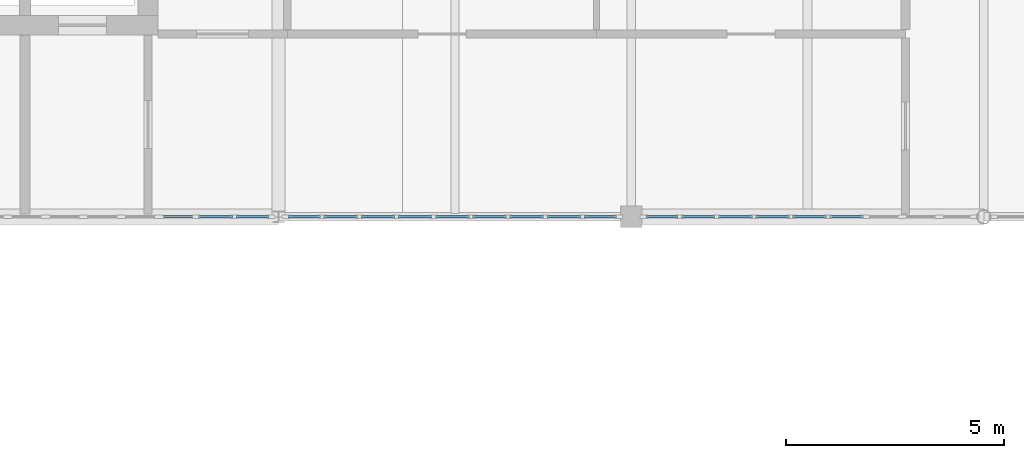
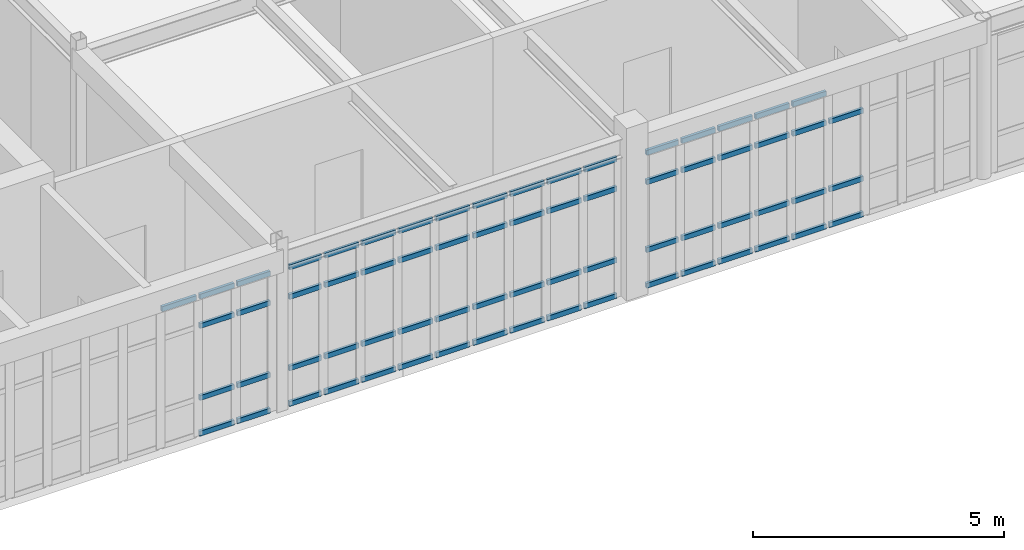
# One storey, part 19 of 36: 68 members, 3 elements without a shape of their own.
"""IFC4 building model written with IfcOpenShell, lengths in metres."""

from ifc_helpers import new_model, si_unit, direction, frame, origin, origin_2d, place, context, subcontext, project, spatial, rectangle, extrude, material, material_profile, profile_set, type_object, element, aggregate, save


model = new_model("IFC4")

# Units and contexts
model_context = context("Model", 3, precision=1e-05, world=origin(), true_north=direction((0.0, 1.0)))
body_context = subcontext(model_context, "Body", "Model", "MODEL_VIEW")
ifc_project = project(units=[si_unit("LENGTHUNIT", "METRE"), si_unit("AREAUNIT", "SQUARE_METRE"), si_unit("VOLUMEUNIT", "CUBIC_METRE"), si_unit("PLANEANGLEUNIT", "RADIAN"), si_unit("MASSUNIT", "GRAM", prefix="KILO")], contexts=[model_context])

# Site, building, storey
site_placement = place(None, origin())
site = spatial("IfcSite", under=ifc_project, at=site_placement, CompositionType="ELEMENT")
building_placement = place(site_placement, origin())
building = spatial("IfcBuilding", under=site, at=building_placement, Name="Tarnveldt Square Police Headquarters", CompositionType="ELEMENT")
storey_placement = place(building_placement, frame((0.0, 0.0, 24.89990234375)))
storey = spatial("IfcBuildingStorey", under=building, at=storey_placement, Name="L05", CompositionType="ELEMENT", Elevation=24.89990234375)

# Curtain wall, members
ifc_material_1 = material(Name="Triple-glazed low-e laminated vision glass", Category="glass")
curtain_wall_type_1 = type_object("IfcCurtainWallType", Name="CW-LB-781x340", PredefinedType="USERDEFINED", material=ifc_material_1)
curtain_wall_1_placement = place(storey_placement, origin())
curtain_wall_1 = element("IfcCurtainWall", 1, at=curtain_wall_1_placement, inside=storey, type_object=curtain_wall_type_1, Name="L05 Curtain Wall CW-L05-134", ObjectType="GLAZED CURTAIN WALL", PredefinedType="USERDEFINED")
ifc_material_2 = material(Name="Thermally broken anodised aluminium 6063-T6", Category="aluminium")
ifc_material_profile = material_profile(ifc_material_2, rectangle(XDim=0.06494140625, YDim=0.1201171875, at=origin_2d()), Name="CW-T65x120")
ifc_profile_set = profile_set([ifc_material_profile], Name="Thermally broken anodised aluminium 6063-T6")
member_type = type_object("IfcMemberType", Name="CWT-65x120", PredefinedType="USERDEFINED", material=ifc_profile_set)
member_1_placement = place(storey_placement, frame((62.089111328125, 96.0, 3.36962890625), z_axis=(1.0, 0.0, 0.0), x_axis=(0.0, 1.0, 0.0)))
member_1 = element("IfcMember", 2, at=member_1_placement, type_object=member_type, Name="CW-LB81 transom 7.4", ObjectType="TRANSOM", PredefinedType="USERDEFINED", context=body_context, shape_type="SweptSolid", body=[
    extrude(rectangle(XDim=0.06494140625, YDim=0.1201171875, at=origin_2d()), origin(), (0.0, 0.0, 1.0), 0.792724609375),
])
member_2_placement = place(storey_placement, frame((62.95703125, 96.0, 0.03271484375), z_axis=(1.0, 0.0, 0.0), x_axis=(0.0, 1.0, 0.0)))
member_2 = element("IfcMember", 3, at=member_2_placement, type_object=member_type, Name="CW-LB81 transom 8.1", ObjectType="TRANSOM", PredefinedType="USERDEFINED", context=body_context, shape_type="SweptSolid", body=[
    extrude(rectangle(XDim=0.06494140625, YDim=0.1201171875, at=origin_2d()), origin(), (0.0, 0.0, 1.0), 0.792724609375),
])
member_3_placement = place(storey_placement, frame((62.95703125, 96.0, 0.900146484375), z_axis=(1.0, 0.0, 0.0), x_axis=(0.0, 1.0, 0.0)))
member_3 = element("IfcMember", 4, at=member_3_placement, type_object=member_type, Name="CW-LB81 transom 8.2", ObjectType="TRANSOM", PredefinedType="USERDEFINED", context=body_context, shape_type="SweptSolid", body=[
    extrude(rectangle(XDim=0.06494140625, YDim=0.1201171875, at=origin_2d()), origin(), (0.0, 0.0, 1.0), 0.792724609375),
])
member_4_placement = place(storey_placement, frame((62.95703125, 96.0, 2.652099609375), z_axis=(1.0, 0.0, 0.0), x_axis=(0.0, 1.0, 0.0)))
member_4 = element("IfcMember", 5, at=member_4_placement, type_object=member_type, Name="CW-LB81 transom 8.3", ObjectType="TRANSOM", PredefinedType="USERDEFINED", context=body_context, shape_type="SweptSolid", body=[
    extrude(rectangle(XDim=0.06494140625, YDim=0.1201171875, at=origin_2d()), origin(), (0.0, 0.0, 1.0), 0.792724609375),
])
member_5_placement = place(storey_placement, frame((62.95703125, 96.0, 3.36962890625), z_axis=(1.0, 0.0, 0.0), x_axis=(0.0, 1.0, 0.0)))
member_5 = element("IfcMember", 6, at=member_5_placement, type_object=member_type, Name="CW-LB81 transom 8.4", ObjectType="TRANSOM", PredefinedType="USERDEFINED", context=body_context, shape_type="SweptSolid", body=[
    extrude(rectangle(XDim=0.06494140625, YDim=0.1201171875, at=origin_2d()), origin(), (0.0, 0.0, 1.0), 0.792724609375),
])
member_6_placement = place(storey_placement, frame((63.82470703125, 96.0, 0.03271484375), z_axis=(1.0, 0.0, 0.0), x_axis=(0.0, 1.0, 0.0)))
member_6 = element("IfcMember", 7, at=member_6_placement, type_object=member_type, Name="CW-LB81 transom 9.1", ObjectType="TRANSOM", PredefinedType="USERDEFINED", context=body_context, shape_type="SweptSolid", body=[
    extrude(rectangle(XDim=0.06494140625, YDim=0.1201171875, at=origin_2d()), origin(), (0.0, 0.0, 1.0), 0.75537109375),
])
member_7_placement = place(storey_placement, frame((63.82470703125, 96.0, 0.900146484375), z_axis=(1.0, 0.0, 0.0), x_axis=(0.0, 1.0, 0.0)))
member_7 = element("IfcMember", 8, at=member_7_placement, type_object=member_type, Name="CW-LB81 transom 9.2", ObjectType="TRANSOM", PredefinedType="USERDEFINED", context=body_context, shape_type="SweptSolid", body=[
    extrude(rectangle(XDim=0.06494140625, YDim=0.1201171875, at=origin_2d()), origin(), (0.0, 0.0, 1.0), 0.75537109375),
])
member_8_placement = place(storey_placement, frame((63.82470703125, 96.0, 2.652099609375), z_axis=(1.0, 0.0, 0.0), x_axis=(0.0, 1.0, 0.0)))
member_8 = element("IfcMember", 9, at=member_8_placement, type_object=member_type, Name="CW-LB81 transom 9.3", ObjectType="TRANSOM", PredefinedType="USERDEFINED", context=body_context, shape_type="SweptSolid", body=[
    extrude(rectangle(XDim=0.06494140625, YDim=0.1201171875, at=origin_2d()), origin(), (0.0, 0.0, 1.0), 0.75537109375),
])
member_9_placement = place(storey_placement, frame((63.82470703125, 96.0, 3.36962890625), z_axis=(1.0, 0.0, 0.0), x_axis=(0.0, 1.0, 0.0)))
member_9 = element("IfcMember", 10, at=member_9_placement, type_object=member_type, Name="CW-LB81 transom 9.4", ObjectType="TRANSOM", PredefinedType="USERDEFINED", context=body_context, shape_type="SweptSolid", body=[
    extrude(rectangle(XDim=0.06494140625, YDim=0.1201171875, at=origin_2d()), origin(), (0.0, 0.0, 1.0), 0.75537109375),
])
aggregate(curtain_wall_1, [member_1, member_2, member_3, member_4, member_5, member_6, member_7, member_8, member_9])

curtain_wall_type_2 = type_object("IfcCurtainWallType", Name="CW-LB-769x339", PredefinedType="USERDEFINED", material=ifc_material_1)
curtain_wall_2_placement = place(storey_placement, origin())
curtain_wall_2 = element("IfcCurtainWall", 11, at=curtain_wall_2_placement, inside=storey, type_object=curtain_wall_type_2, Name="L05 Curtain Wall CW-L05-135", ObjectType="GLAZED CURTAIN WALL", PredefinedType="USERDEFINED")
member_10_placement = place(storey_placement, frame((65.02001953125, 96.0, 0.03271484375), z_axis=(1.0, 0.0, 0.0), x_axis=(0.0, 1.0, 0.0)))
member_10 = element("IfcMember", 12, at=member_10_placement, type_object=member_type, Name="CW-LB82 transom 1.1", ObjectType="TRANSOM", PredefinedType="USERDEFINED", context=body_context, shape_type="SweptSolid", body=[
    extrude(rectangle(XDim=0.06494140625, YDim=0.1201171875, at=origin_2d()), origin(), (0.0, 0.0, 1.0), 0.741943359375),
])
member_11_placement = place(storey_placement, frame((65.02001953125, 96.0, 0.900146484375), z_axis=(1.0, 0.0, 0.0), x_axis=(0.0, 1.0, 0.0)))
member_11 = element("IfcMember", 13, at=member_11_placement, type_object=member_type, Name="CW-LB82 transom 1.2", ObjectType="TRANSOM", PredefinedType="USERDEFINED", context=body_context, shape_type="SweptSolid", body=[
    extrude(rectangle(XDim=0.06494140625, YDim=0.1201171875, at=origin_2d()), origin(), (0.0, 0.0, 1.0), 0.741943359375),
])
member_12_placement = place(storey_placement, frame((65.02001953125, 96.0, 2.63916015625), z_axis=(1.0, 0.0, 0.0), x_axis=(0.0, 1.0, 0.0)))
member_12 = element("IfcMember", 14, at=member_12_placement, type_object=member_type, Name="CW-LB82 transom 1.3", ObjectType="TRANSOM", PredefinedType="USERDEFINED", context=body_context, shape_type="SweptSolid", body=[
    extrude(rectangle(XDim=0.06494140625, YDim=0.1201171875, at=origin_2d()), origin(), (0.0, 0.0, 1.0), 0.741943359375),
])
member_13_placement = place(storey_placement, frame((65.02001953125, 96.0, 3.356689453125), z_axis=(1.0, 0.0, 0.0), x_axis=(0.0, 1.0, 0.0)))
member_13 = element("IfcMember", 15, at=member_13_placement, type_object=member_type, Name="CW-LB82 transom 1.4", ObjectType="TRANSOM", PredefinedType="USERDEFINED", context=body_context, shape_type="SweptSolid", body=[
    extrude(rectangle(XDim=0.06494140625, YDim=0.1201171875, at=origin_2d()), origin(), (0.0, 0.0, 1.0), 0.741943359375),
])
member_14_placement = place(storey_placement, frame((65.8369140625, 96.0, 0.03271484375), z_axis=(1.0, 0.0, 0.0), x_axis=(0.0, 1.0, 0.0)))
member_14 = element("IfcMember", 16, at=member_14_placement, type_object=member_type, Name="CW-LB82 transom 2.1", ObjectType="TRANSOM", PredefinedType="USERDEFINED", context=body_context, shape_type="SweptSolid", body=[
    extrude(rectangle(XDim=0.06494140625, YDim=0.1201171875, at=origin_2d()), origin(), (0.0, 0.0, 1.0), 0.779541015625),
])
member_15_placement = place(storey_placement, frame((65.8369140625, 96.0, 0.900146484375), z_axis=(1.0, 0.0, 0.0), x_axis=(0.0, 1.0, 0.0)))
member_15 = element("IfcMember", 17, at=member_15_placement, type_object=member_type, Name="CW-LB82 transom 2.2", ObjectType="TRANSOM", PredefinedType="USERDEFINED", context=body_context, shape_type="SweptSolid", body=[
    extrude(rectangle(XDim=0.06494140625, YDim=0.1201171875, at=origin_2d()), origin(), (0.0, 0.0, 1.0), 0.779541015625),
])
member_16_placement = place(storey_placement, frame((65.8369140625, 96.0, 2.63916015625), z_axis=(1.0, 0.0, 0.0), x_axis=(0.0, 1.0, 0.0)))
member_16 = element("IfcMember", 18, at=member_16_placement, type_object=member_type, Name="CW-LB82 transom 2.3", ObjectType="TRANSOM", PredefinedType="USERDEFINED", context=body_context, shape_type="SweptSolid", body=[
    extrude(rectangle(XDim=0.06494140625, YDim=0.1201171875, at=origin_2d()), origin(), (0.0, 0.0, 1.0), 0.779541015625),
])
member_17_placement = place(storey_placement, frame((65.8369140625, 96.0, 3.356689453125), z_axis=(1.0, 0.0, 0.0), x_axis=(0.0, 1.0, 0.0)))
member_17 = element("IfcMember", 19, at=member_17_placement, type_object=member_type, Name="CW-LB82 transom 2.4", ObjectType="TRANSOM", PredefinedType="USERDEFINED", context=body_context, shape_type="SweptSolid", body=[
    extrude(rectangle(XDim=0.06494140625, YDim=0.1201171875, at=origin_2d()), origin(), (0.0, 0.0, 1.0), 0.779541015625),
])
member_18_placement = place(storey_placement, frame((66.69140625, 96.0, 0.03271484375), z_axis=(1.0, 0.0, 0.0), x_axis=(0.0, 1.0, 0.0)))
member_18 = element("IfcMember", 20, at=member_18_placement, type_object=member_type, Name="CW-LB82 transom 3.1", ObjectType="TRANSOM", PredefinedType="USERDEFINED", context=body_context, shape_type="SweptSolid", body=[
    extrude(rectangle(XDim=0.06494140625, YDim=0.1201171875, at=origin_2d()), origin(), (0.0, 0.0, 1.0), 0.779541015625),
])
member_19_placement = place(storey_placement, frame((66.69140625, 96.0, 0.900146484375), z_axis=(1.0, 0.0, 0.0), x_axis=(0.0, 1.0, 0.0)))
member_19 = element("IfcMember", 21, at=member_19_placement, type_object=member_type, Name="CW-LB82 transom 3.2", ObjectType="TRANSOM", PredefinedType="USERDEFINED", context=body_context, shape_type="SweptSolid", body=[
    extrude(rectangle(XDim=0.06494140625, YDim=0.1201171875, at=origin_2d()), origin(), (0.0, 0.0, 1.0), 0.779541015625),
])
member_20_placement = place(storey_placement, frame((66.69140625, 96.0, 2.63916015625), z_axis=(1.0, 0.0, 0.0), x_axis=(0.0, 1.0, 0.0)))
member_20 = element("IfcMember", 22, at=member_20_placement, type_object=member_type, Name="CW-LB82 transom 3.3", ObjectType="TRANSOM", PredefinedType="USERDEFINED", context=body_context, shape_type="SweptSolid", body=[
    extrude(rectangle(XDim=0.06494140625, YDim=0.1201171875, at=origin_2d()), origin(), (0.0, 0.0, 1.0), 0.779541015625),
])
member_21_placement = place(storey_placement, frame((66.69140625, 96.0, 3.356689453125), z_axis=(1.0, 0.0, 0.0), x_axis=(0.0, 1.0, 0.0)))
member_21 = element("IfcMember", 23, at=member_21_placement, type_object=member_type, Name="CW-LB82 transom 3.4", ObjectType="TRANSOM", PredefinedType="USERDEFINED", context=body_context, shape_type="SweptSolid", body=[
    extrude(rectangle(XDim=0.06494140625, YDim=0.1201171875, at=origin_2d()), origin(), (0.0, 0.0, 1.0), 0.779541015625),
])
member_22_placement = place(storey_placement, frame((67.5458984375, 96.0, 0.03271484375), z_axis=(1.0, 0.0, 0.0), x_axis=(0.0, 1.0, 0.0)))
member_22 = element("IfcMember", 24, at=member_22_placement, type_object=member_type, Name="CW-LB82 transom 4.1", ObjectType="TRANSOM", PredefinedType="USERDEFINED", context=body_context, shape_type="SweptSolid", body=[
    extrude(rectangle(XDim=0.06494140625, YDim=0.1201171875, at=origin_2d()), origin(), (0.0, 0.0, 1.0), 0.779296875),
])
member_23_placement = place(storey_placement, frame((67.5458984375, 96.0, 0.900146484375), z_axis=(1.0, 0.0, 0.0), x_axis=(0.0, 1.0, 0.0)))
member_23 = element("IfcMember", 25, at=member_23_placement, type_object=member_type, Name="CW-LB82 transom 4.2", ObjectType="TRANSOM", PredefinedType="USERDEFINED", context=body_context, shape_type="SweptSolid", body=[
    extrude(rectangle(XDim=0.06494140625, YDim=0.1201171875, at=origin_2d()), origin(), (0.0, 0.0, 1.0), 0.779296875),
])
member_24_placement = place(storey_placement, frame((67.5458984375, 96.0, 2.63916015625), z_axis=(1.0, 0.0, 0.0), x_axis=(0.0, 1.0, 0.0)))
member_24 = element("IfcMember", 26, at=member_24_placement, type_object=member_type, Name="CW-LB82 transom 4.3", ObjectType="TRANSOM", PredefinedType="USERDEFINED", context=body_context, shape_type="SweptSolid", body=[
    extrude(rectangle(XDim=0.06494140625, YDim=0.1201171875, at=origin_2d()), origin(), (0.0, 0.0, 1.0), 0.779296875),
])
member_25_placement = place(storey_placement, frame((67.5458984375, 96.0, 3.356689453125), z_axis=(1.0, 0.0, 0.0), x_axis=(0.0, 1.0, 0.0)))
member_25 = element("IfcMember", 27, at=member_25_placement, type_object=member_type, Name="CW-LB82 transom 4.4", ObjectType="TRANSOM", PredefinedType="USERDEFINED", context=body_context, shape_type="SweptSolid", body=[
    extrude(rectangle(XDim=0.06494140625, YDim=0.1201171875, at=origin_2d()), origin(), (0.0, 0.0, 1.0), 0.779296875),
])
member_26_placement = place(storey_placement, frame((68.400390625, 96.0, 0.03271484375), z_axis=(1.0, 0.0, 0.0), x_axis=(0.0, 1.0, 0.0)))
member_26 = element("IfcMember", 28, at=member_26_placement, type_object=member_type, Name="CW-LB82 transom 5.1", ObjectType="TRANSOM", PredefinedType="USERDEFINED", context=body_context, shape_type="SweptSolid", body=[
    extrude(rectangle(XDim=0.06494140625, YDim=0.1201171875, at=origin_2d()), origin(), (0.0, 0.0, 1.0), 0.779296875),
])
member_27_placement = place(storey_placement, frame((68.400390625, 96.0, 0.900146484375), z_axis=(1.0, 0.0, 0.0), x_axis=(0.0, 1.0, 0.0)))
member_27 = element("IfcMember", 29, at=member_27_placement, type_object=member_type, Name="CW-LB82 transom 5.2", ObjectType="TRANSOM", PredefinedType="USERDEFINED", context=body_context, shape_type="SweptSolid", body=[
    extrude(rectangle(XDim=0.06494140625, YDim=0.1201171875, at=origin_2d()), origin(), (0.0, 0.0, 1.0), 0.779296875),
])
member_28_placement = place(storey_placement, frame((68.400390625, 96.0, 2.63916015625), z_axis=(1.0, 0.0, 0.0), x_axis=(0.0, 1.0, 0.0)))
member_28 = element("IfcMember", 30, at=member_28_placement, type_object=member_type, Name="CW-LB82 transom 5.3", ObjectType="TRANSOM", PredefinedType="USERDEFINED", context=body_context, shape_type="SweptSolid", body=[
    extrude(rectangle(XDim=0.06494140625, YDim=0.1201171875, at=origin_2d()), origin(), (0.0, 0.0, 1.0), 0.779296875),
])
member_29_placement = place(storey_placement, frame((68.400390625, 96.0, 3.356689453125), z_axis=(1.0, 0.0, 0.0), x_axis=(0.0, 1.0, 0.0)))
member_29 = element("IfcMember", 31, at=member_29_placement, type_object=member_type, Name="CW-LB82 transom 5.4", ObjectType="TRANSOM", PredefinedType="USERDEFINED", context=body_context, shape_type="SweptSolid", body=[
    extrude(rectangle(XDim=0.06494140625, YDim=0.1201171875, at=origin_2d()), origin(), (0.0, 0.0, 1.0), 0.779296875),
])
member_30_placement = place(storey_placement, frame((69.254638671875, 96.0, 0.03271484375), z_axis=(1.0, 0.0, 0.0), x_axis=(0.0, 1.0, 0.0)))
member_30 = element("IfcMember", 32, at=member_30_placement, type_object=member_type, Name="CW-LB82 transom 6.1", ObjectType="TRANSOM", PredefinedType="USERDEFINED", context=body_context, shape_type="SweptSolid", body=[
    extrude(rectangle(XDim=0.06494140625, YDim=0.1201171875, at=origin_2d()), origin(), (0.0, 0.0, 1.0), 0.779541015625),
])
member_31_placement = place(storey_placement, frame((69.254638671875, 96.0, 0.900146484375), z_axis=(1.0, 0.0, 0.0), x_axis=(0.0, 1.0, 0.0)))
member_31 = element("IfcMember", 33, at=member_31_placement, type_object=member_type, Name="CW-LB82 transom 6.2", ObjectType="TRANSOM", PredefinedType="USERDEFINED", context=body_context, shape_type="SweptSolid", body=[
    extrude(rectangle(XDim=0.06494140625, YDim=0.1201171875, at=origin_2d()), origin(), (0.0, 0.0, 1.0), 0.779541015625),
])
member_32_placement = place(storey_placement, frame((69.254638671875, 96.0, 2.63916015625), z_axis=(1.0, 0.0, 0.0), x_axis=(0.0, 1.0, 0.0)))
member_32 = element("IfcMember", 34, at=member_32_placement, type_object=member_type, Name="CW-LB82 transom 6.3", ObjectType="TRANSOM", PredefinedType="USERDEFINED", context=body_context, shape_type="SweptSolid", body=[
    extrude(rectangle(XDim=0.06494140625, YDim=0.1201171875, at=origin_2d()), origin(), (0.0, 0.0, 1.0), 0.779541015625),
])
member_33_placement = place(storey_placement, frame((69.254638671875, 96.0, 3.356689453125), z_axis=(1.0, 0.0, 0.0), x_axis=(0.0, 1.0, 0.0)))
member_33 = element("IfcMember", 35, at=member_33_placement, type_object=member_type, Name="CW-LB82 transom 6.4", ObjectType="TRANSOM", PredefinedType="USERDEFINED", context=body_context, shape_type="SweptSolid", body=[
    extrude(rectangle(XDim=0.06494140625, YDim=0.1201171875, at=origin_2d()), origin(), (0.0, 0.0, 1.0), 0.779541015625),
])
member_34_placement = place(storey_placement, frame((70.109130859375, 96.0, 0.03271484375), z_axis=(1.0, 0.0, 0.0), x_axis=(0.0, 1.0, 0.0)))
member_34 = element("IfcMember", 36, at=member_34_placement, type_object=member_type, Name="CW-LB82 transom 7.1", ObjectType="TRANSOM", PredefinedType="USERDEFINED", context=body_context, shape_type="SweptSolid", body=[
    extrude(rectangle(XDim=0.06494140625, YDim=0.1201171875, at=origin_2d()), origin(), (0.0, 0.0, 1.0), 0.779541015625),
])
member_35_placement = place(storey_placement, frame((70.109130859375, 96.0, 0.900146484375), z_axis=(1.0, 0.0, 0.0), x_axis=(0.0, 1.0, 0.0)))
member_35 = element("IfcMember", 37, at=member_35_placement, type_object=member_type, Name="CW-LB82 transom 7.2", ObjectType="TRANSOM", PredefinedType="USERDEFINED", context=body_context, shape_type="SweptSolid", body=[
    extrude(rectangle(XDim=0.06494140625, YDim=0.1201171875, at=origin_2d()), origin(), (0.0, 0.0, 1.0), 0.779541015625),
])
member_36_placement = place(storey_placement, frame((70.109130859375, 96.0, 2.63916015625), z_axis=(1.0, 0.0, 0.0), x_axis=(0.0, 1.0, 0.0)))
member_36 = element("IfcMember", 38, at=member_36_placement, type_object=member_type, Name="CW-LB82 transom 7.3", ObjectType="TRANSOM", PredefinedType="USERDEFINED", context=body_context, shape_type="SweptSolid", body=[
    extrude(rectangle(XDim=0.06494140625, YDim=0.1201171875, at=origin_2d()), origin(), (0.0, 0.0, 1.0), 0.779541015625),
])
member_37_placement = place(storey_placement, frame((70.109130859375, 96.0, 3.356689453125), z_axis=(1.0, 0.0, 0.0), x_axis=(0.0, 1.0, 0.0)))
member_37 = element("IfcMember", 39, at=member_37_placement, type_object=member_type, Name="CW-LB82 transom 7.4", ObjectType="TRANSOM", PredefinedType="USERDEFINED", context=body_context, shape_type="SweptSolid", body=[
    extrude(rectangle(XDim=0.06494140625, YDim=0.1201171875, at=origin_2d()), origin(), (0.0, 0.0, 1.0), 0.779541015625),
])
member_38_placement = place(storey_placement, frame((70.963623046875, 96.0, 0.03271484375), z_axis=(1.0, 0.0, 0.0), x_axis=(0.0, 1.0, 0.0)))
member_38 = element("IfcMember", 40, at=member_38_placement, type_object=member_type, Name="CW-LB82 transom 8.1", ObjectType="TRANSOM", PredefinedType="USERDEFINED", context=body_context, shape_type="SweptSolid", body=[
    extrude(rectangle(XDim=0.06494140625, YDim=0.1201171875, at=origin_2d()), origin(), (0.0, 0.0, 1.0), 0.779541015625),
])
member_39_placement = place(storey_placement, frame((70.963623046875, 96.0, 0.900146484375), z_axis=(1.0, 0.0, 0.0), x_axis=(0.0, 1.0, 0.0)))
member_39 = element("IfcMember", 41, at=member_39_placement, type_object=member_type, Name="CW-LB82 transom 8.2", ObjectType="TRANSOM", PredefinedType="USERDEFINED", context=body_context, shape_type="SweptSolid", body=[
    extrude(rectangle(XDim=0.06494140625, YDim=0.1201171875, at=origin_2d()), origin(), (0.0, 0.0, 1.0), 0.779541015625),
])
member_40_placement = place(storey_placement, frame((70.963623046875, 96.0, 2.63916015625), z_axis=(1.0, 0.0, 0.0), x_axis=(0.0, 1.0, 0.0)))
member_40 = element("IfcMember", 42, at=member_40_placement, type_object=member_type, Name="CW-LB82 transom 8.3", ObjectType="TRANSOM", PredefinedType="USERDEFINED", context=body_context, shape_type="SweptSolid", body=[
    extrude(rectangle(XDim=0.06494140625, YDim=0.1201171875, at=origin_2d()), origin(), (0.0, 0.0, 1.0), 0.779541015625),
])
member_41_placement = place(storey_placement, frame((70.963623046875, 96.0, 3.356689453125), z_axis=(1.0, 0.0, 0.0), x_axis=(0.0, 1.0, 0.0)))
member_41 = element("IfcMember", 43, at=member_41_placement, type_object=member_type, Name="CW-LB82 transom 8.4", ObjectType="TRANSOM", PredefinedType="USERDEFINED", context=body_context, shape_type="SweptSolid", body=[
    extrude(rectangle(XDim=0.06494140625, YDim=0.1201171875, at=origin_2d()), origin(), (0.0, 0.0, 1.0), 0.779541015625),
])
member_42_placement = place(storey_placement, frame((71.818115234375, 96.0, 0.03271484375), z_axis=(1.0, 0.0, 0.0), x_axis=(0.0, 1.0, 0.0)))
member_42 = element("IfcMember", 44, at=member_42_placement, type_object=member_type, Name="CW-LB82 transom 9.1", ObjectType="TRANSOM", PredefinedType="USERDEFINED", context=body_context, shape_type="SweptSolid", body=[
    extrude(rectangle(XDim=0.06494140625, YDim=0.1201171875, at=origin_2d()), origin(), (0.0, 0.0, 1.0), 0.741943359375),
])
member_43_placement = place(storey_placement, frame((71.818115234375, 96.0, 0.900146484375), z_axis=(1.0, 0.0, 0.0), x_axis=(0.0, 1.0, 0.0)))
member_43 = element("IfcMember", 45, at=member_43_placement, type_object=member_type, Name="CW-LB82 transom 9.2", ObjectType="TRANSOM", PredefinedType="USERDEFINED", context=body_context, shape_type="SweptSolid", body=[
    extrude(rectangle(XDim=0.06494140625, YDim=0.1201171875, at=origin_2d()), origin(), (0.0, 0.0, 1.0), 0.741943359375),
])
member_44_placement = place(storey_placement, frame((71.818115234375, 96.0, 2.63916015625), z_axis=(1.0, 0.0, 0.0), x_axis=(0.0, 1.0, 0.0)))
member_44 = element("IfcMember", 46, at=member_44_placement, type_object=member_type, Name="CW-LB82 transom 9.3", ObjectType="TRANSOM", PredefinedType="USERDEFINED", context=body_context, shape_type="SweptSolid", body=[
    extrude(rectangle(XDim=0.06494140625, YDim=0.1201171875, at=origin_2d()), origin(), (0.0, 0.0, 1.0), 0.741943359375),
])
member_45_placement = place(storey_placement, frame((71.818115234375, 96.0, 3.356689453125), z_axis=(1.0, 0.0, 0.0), x_axis=(0.0, 1.0, 0.0)))
member_45 = element("IfcMember", 47, at=member_45_placement, type_object=member_type, Name="CW-LB82 transom 9.4", ObjectType="TRANSOM", PredefinedType="USERDEFINED", context=body_context, shape_type="SweptSolid", body=[
    extrude(rectangle(XDim=0.06494140625, YDim=0.1201171875, at=origin_2d()), origin(), (0.0, 0.0, 1.0), 0.741943359375),
])
aggregate(curtain_wall_2, [member_10, member_11, member_12, member_13, member_14, member_15, member_16, member_17, member_18, member_19, member_20, member_21, member_22, member_23, member_24, member_25, member_26, member_27, member_28, member_29, member_30, member_31, member_32, member_33, member_34, member_35, member_36, member_37, member_38, member_39, member_40, member_41, member_42, member_43, member_44, member_45])

curtain_wall_type_3 = type_object("IfcCurtainWallType", Name="CW-LB-766x330", PredefinedType="USERDEFINED", material=ifc_material_1)
curtain_wall_3_placement = place(storey_placement, origin())
curtain_wall_3 = element("IfcCurtainWall", 48, at=curtain_wall_3_placement, inside=storey, type_object=curtain_wall_type_3, Name="L05 Curtain Wall CW-L05-136", ObjectType="GLAZED CURTAIN WALL", PredefinedType="USERDEFINED")
member_46_placement = place(storey_placement, frame((73.239990234375, 96.0, 0.03271484375), z_axis=(1.0, 0.0, 0.0), x_axis=(0.0, 1.0, 0.0)))
member_46 = element("IfcMember", 49, at=member_46_placement, type_object=member_type, Name="CW-LB83 transom 1.1", ObjectType="TRANSOM", PredefinedType="USERDEFINED", context=body_context, shape_type="SweptSolid", body=[
    extrude(rectangle(XDim=0.06494140625, YDim=0.1201171875, at=origin_2d()), origin(), (0.0, 0.0, 1.0), 0.73828125),
])
member_47_placement = place(storey_placement, frame((73.239990234375, 96.0, 0.900146484375), z_axis=(1.0, 0.0, 0.0), x_axis=(0.0, 1.0, 0.0)))
member_47 = element("IfcMember", 50, at=member_47_placement, type_object=member_type, Name="CW-LB83 transom 1.2", ObjectType="TRANSOM", PredefinedType="USERDEFINED", context=body_context, shape_type="SweptSolid", body=[
    extrude(rectangle(XDim=0.06494140625, YDim=0.1201171875, at=origin_2d()), origin(), (0.0, 0.0, 1.0), 0.73828125),
])
member_48_placement = place(storey_placement, frame((73.239990234375, 96.0, 2.552001953125), z_axis=(1.0, 0.0, 0.0), x_axis=(0.0, 1.0, 0.0)))
member_48 = element("IfcMember", 51, at=member_48_placement, type_object=member_type, Name="CW-LB83 transom 1.3", ObjectType="TRANSOM", PredefinedType="USERDEFINED", context=body_context, shape_type="SweptSolid", body=[
    extrude(rectangle(XDim=0.06494140625, YDim=0.1201171875, at=origin_2d()), origin(), (0.0, 0.0, 1.0), 0.73828125),
])
member_49_placement = place(storey_placement, frame((73.239990234375, 96.0, 3.26953125), z_axis=(1.0, 0.0, 0.0), x_axis=(0.0, 1.0, 0.0)))
member_49 = element("IfcMember", 52, at=member_49_placement, type_object=member_type, Name="CW-LB83 transom 1.4", ObjectType="TRANSOM", PredefinedType="USERDEFINED", context=body_context, shape_type="SweptSolid", body=[
    extrude(rectangle(XDim=0.06494140625, YDim=0.1201171875, at=origin_2d()), origin(), (0.0, 0.0, 1.0), 0.73828125),
])
member_50_placement = place(storey_placement, frame((74.053466796875, 96.0, 0.03271484375), z_axis=(1.0, 0.0, 0.0), x_axis=(0.0, 1.0, 0.0)))
member_50 = element("IfcMember", 53, at=member_50_placement, type_object=member_type, Name="CW-LB83 transom 2.1", ObjectType="TRANSOM", PredefinedType="USERDEFINED", context=body_context, shape_type="SweptSolid", body=[
    extrude(rectangle(XDim=0.06494140625, YDim=0.1201171875, at=origin_2d()), origin(), (0.0, 0.0, 1.0), 0.77587890625),
])
member_51_placement = place(storey_placement, frame((74.053466796875, 96.0, 0.900146484375), z_axis=(1.0, 0.0, 0.0), x_axis=(0.0, 1.0, 0.0)))
member_51 = element("IfcMember", 54, at=member_51_placement, type_object=member_type, Name="CW-LB83 transom 2.2", ObjectType="TRANSOM", PredefinedType="USERDEFINED", context=body_context, shape_type="SweptSolid", body=[
    extrude(rectangle(XDim=0.06494140625, YDim=0.1201171875, at=origin_2d()), origin(), (0.0, 0.0, 1.0), 0.77587890625),
])
member_52_placement = place(storey_placement, frame((74.053466796875, 96.0, 2.552001953125), z_axis=(1.0, 0.0, 0.0), x_axis=(0.0, 1.0, 0.0)))
member_52 = element("IfcMember", 55, at=member_52_placement, type_object=member_type, Name="CW-LB83 transom 2.3", ObjectType="TRANSOM", PredefinedType="USERDEFINED", context=body_context, shape_type="SweptSolid", body=[
    extrude(rectangle(XDim=0.06494140625, YDim=0.1201171875, at=origin_2d()), origin(), (0.0, 0.0, 1.0), 0.77587890625),
])
member_53_placement = place(storey_placement, frame((74.053466796875, 96.0, 3.26953125), z_axis=(1.0, 0.0, 0.0), x_axis=(0.0, 1.0, 0.0)))
member_53 = element("IfcMember", 56, at=member_53_placement, type_object=member_type, Name="CW-LB83 transom 2.4", ObjectType="TRANSOM", PredefinedType="USERDEFINED", context=body_context, shape_type="SweptSolid", body=[
    extrude(rectangle(XDim=0.06494140625, YDim=0.1201171875, at=origin_2d()), origin(), (0.0, 0.0, 1.0), 0.77587890625),
])
member_54_placement = place(storey_placement, frame((74.904296875, 96.0, 0.03271484375), z_axis=(1.0, 0.0, 0.0), x_axis=(0.0, 1.0, 0.0)))
member_54 = element("IfcMember", 57, at=member_54_placement, type_object=member_type, Name="CW-LB83 transom 3.1", ObjectType="TRANSOM", PredefinedType="USERDEFINED", context=body_context, shape_type="SweptSolid", body=[
    extrude(rectangle(XDim=0.06494140625, YDim=0.1201171875, at=origin_2d()), origin(), (0.0, 0.0, 1.0), 0.77587890625),
])
member_55_placement = place(storey_placement, frame((74.904296875, 96.0, 0.900146484375), z_axis=(1.0, 0.0, 0.0), x_axis=(0.0, 1.0, 0.0)))
member_55 = element("IfcMember", 58, at=member_55_placement, type_object=member_type, Name="CW-LB83 transom 3.2", ObjectType="TRANSOM", PredefinedType="USERDEFINED", context=body_context, shape_type="SweptSolid", body=[
    extrude(rectangle(XDim=0.06494140625, YDim=0.1201171875, at=origin_2d()), origin(), (0.0, 0.0, 1.0), 0.77587890625),
])
member_56_placement = place(storey_placement, frame((74.904296875, 96.0, 2.552001953125), z_axis=(1.0, 0.0, 0.0), x_axis=(0.0, 1.0, 0.0)))
member_56 = element("IfcMember", 59, at=member_56_placement, type_object=member_type, Name="CW-LB83 transom 3.3", ObjectType="TRANSOM", PredefinedType="USERDEFINED", context=body_context, shape_type="SweptSolid", body=[
    extrude(rectangle(XDim=0.06494140625, YDim=0.1201171875, at=origin_2d()), origin(), (0.0, 0.0, 1.0), 0.77587890625),
])
member_57_placement = place(storey_placement, frame((74.904296875, 96.0, 3.26953125), z_axis=(1.0, 0.0, 0.0), x_axis=(0.0, 1.0, 0.0)))
member_57 = element("IfcMember", 60, at=member_57_placement, type_object=member_type, Name="CW-LB83 transom 3.4", ObjectType="TRANSOM", PredefinedType="USERDEFINED", context=body_context, shape_type="SweptSolid", body=[
    extrude(rectangle(XDim=0.06494140625, YDim=0.1201171875, at=origin_2d()), origin(), (0.0, 0.0, 1.0), 0.77587890625),
])
member_58_placement = place(storey_placement, frame((75.755126953125, 96.0, 0.03271484375), z_axis=(1.0, 0.0, 0.0), x_axis=(0.0, 1.0, 0.0)))
member_58 = element("IfcMember", 61, at=member_58_placement, type_object=member_type, Name="CW-LB83 transom 4.1", ObjectType="TRANSOM", PredefinedType="USERDEFINED", context=body_context, shape_type="SweptSolid", body=[
    extrude(rectangle(XDim=0.06494140625, YDim=0.1201171875, at=origin_2d()), origin(), (0.0, 0.0, 1.0), 0.77587890625),
])
member_59_placement = place(storey_placement, frame((75.755126953125, 96.0, 0.900146484375), z_axis=(1.0, 0.0, 0.0), x_axis=(0.0, 1.0, 0.0)))
member_59 = element("IfcMember", 62, at=member_59_placement, type_object=member_type, Name="CW-LB83 transom 4.2", ObjectType="TRANSOM", PredefinedType="USERDEFINED", context=body_context, shape_type="SweptSolid", body=[
    extrude(rectangle(XDim=0.06494140625, YDim=0.1201171875, at=origin_2d()), origin(), (0.0, 0.0, 1.0), 0.77587890625),
])
member_60_placement = place(storey_placement, frame((75.755126953125, 96.0, 2.552001953125), z_axis=(1.0, 0.0, 0.0), x_axis=(0.0, 1.0, 0.0)))
member_60 = element("IfcMember", 63, at=member_60_placement, type_object=member_type, Name="CW-LB83 transom 4.3", ObjectType="TRANSOM", PredefinedType="USERDEFINED", context=body_context, shape_type="SweptSolid", body=[
    extrude(rectangle(XDim=0.06494140625, YDim=0.1201171875, at=origin_2d()), origin(), (0.0, 0.0, 1.0), 0.77587890625),
])
member_61_placement = place(storey_placement, frame((75.755126953125, 96.0, 3.26953125), z_axis=(1.0, 0.0, 0.0), x_axis=(0.0, 1.0, 0.0)))
member_61 = element("IfcMember", 64, at=member_61_placement, type_object=member_type, Name="CW-LB83 transom 4.4", ObjectType="TRANSOM", PredefinedType="USERDEFINED", context=body_context, shape_type="SweptSolid", body=[
    extrude(rectangle(XDim=0.06494140625, YDim=0.1201171875, at=origin_2d()), origin(), (0.0, 0.0, 1.0), 0.77587890625),
])
member_62_placement = place(storey_placement, frame((76.60595703125, 96.0, 0.03271484375), z_axis=(1.0, 0.0, 0.0), x_axis=(0.0, 1.0, 0.0)))
member_62 = element("IfcMember", 65, at=member_62_placement, type_object=member_type, Name="CW-LB83 transom 5.1", ObjectType="TRANSOM", PredefinedType="USERDEFINED", context=body_context, shape_type="SweptSolid", body=[
    extrude(rectangle(XDim=0.06494140625, YDim=0.1201171875, at=origin_2d()), origin(), (0.0, 0.0, 1.0), 0.77587890625),
])
member_63_placement = place(storey_placement, frame((76.60595703125, 96.0, 0.900146484375), z_axis=(1.0, 0.0, 0.0), x_axis=(0.0, 1.0, 0.0)))
member_63 = element("IfcMember", 66, at=member_63_placement, type_object=member_type, Name="CW-LB83 transom 5.2", ObjectType="TRANSOM", PredefinedType="USERDEFINED", context=body_context, shape_type="SweptSolid", body=[
    extrude(rectangle(XDim=0.06494140625, YDim=0.1201171875, at=origin_2d()), origin(), (0.0, 0.0, 1.0), 0.77587890625),
])
member_64_placement = place(storey_placement, frame((76.60595703125, 96.0, 2.552001953125), z_axis=(1.0, 0.0, 0.0), x_axis=(0.0, 1.0, 0.0)))
member_64 = element("IfcMember", 67, at=member_64_placement, type_object=member_type, Name="CW-LB83 transom 5.3", ObjectType="TRANSOM", PredefinedType="USERDEFINED", context=body_context, shape_type="SweptSolid", body=[
    extrude(rectangle(XDim=0.06494140625, YDim=0.1201171875, at=origin_2d()), origin(), (0.0, 0.0, 1.0), 0.77587890625),
])
member_65_placement = place(storey_placement, frame((76.60595703125, 96.0, 3.26953125), z_axis=(1.0, 0.0, 0.0), x_axis=(0.0, 1.0, 0.0)))
member_65 = element("IfcMember", 68, at=member_65_placement, type_object=member_type, Name="CW-LB83 transom 5.4", ObjectType="TRANSOM", PredefinedType="USERDEFINED", context=body_context, shape_type="SweptSolid", body=[
    extrude(rectangle(XDim=0.06494140625, YDim=0.1201171875, at=origin_2d()), origin(), (0.0, 0.0, 1.0), 0.77587890625),
])
member_66_placement = place(storey_placement, frame((77.45703125, 96.0, 0.03271484375), z_axis=(1.0, 0.0, 0.0), x_axis=(0.0, 1.0, 0.0)))
member_66 = element("IfcMember", 69, at=member_66_placement, type_object=member_type, Name="CW-LB83 transom 6.1", ObjectType="TRANSOM", PredefinedType="USERDEFINED", context=body_context, shape_type="SweptSolid", body=[
    extrude(rectangle(XDim=0.06494140625, YDim=0.1201171875, at=origin_2d()), origin(), (0.0, 0.0, 1.0), 0.77587890625),
])
member_67_placement = place(storey_placement, frame((77.45703125, 96.0, 0.900146484375), z_axis=(1.0, 0.0, 0.0), x_axis=(0.0, 1.0, 0.0)))
member_67 = element("IfcMember", 70, at=member_67_placement, type_object=member_type, Name="CW-LB83 transom 6.2", ObjectType="TRANSOM", PredefinedType="USERDEFINED", context=body_context, shape_type="SweptSolid", body=[
    extrude(rectangle(XDim=0.06494140625, YDim=0.1201171875, at=origin_2d()), origin(), (0.0, 0.0, 1.0), 0.77587890625),
])
member_68_placement = place(storey_placement, frame((77.45703125, 96.0, 2.552001953125), z_axis=(1.0, 0.0, 0.0), x_axis=(0.0, 1.0, 0.0)))
member_68 = element("IfcMember", 71, at=member_68_placement, type_object=member_type, Name="CW-LB83 transom 6.3", ObjectType="TRANSOM", PredefinedType="USERDEFINED", context=body_context, shape_type="SweptSolid", body=[
    extrude(rectangle(XDim=0.06494140625, YDim=0.1201171875, at=origin_2d()), origin(), (0.0, 0.0, 1.0), 0.77587890625),
])
aggregate(curtain_wall_3, [member_46, member_47, member_48, member_49, member_50, member_51, member_52, member_53, member_54, member_55, member_56, member_57, member_58, member_59, member_60, member_61, member_62, member_63, member_64, member_65, member_66, member_67, member_68])

save(model, "model.ifc")
